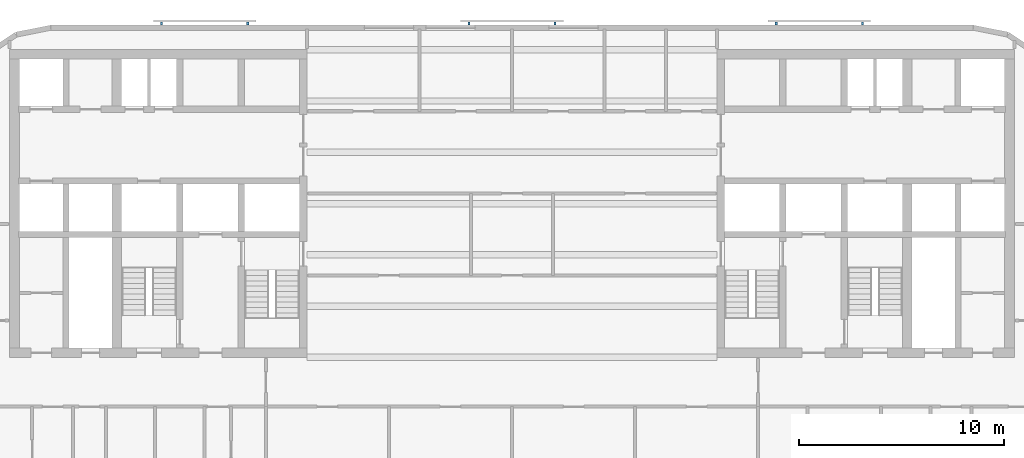
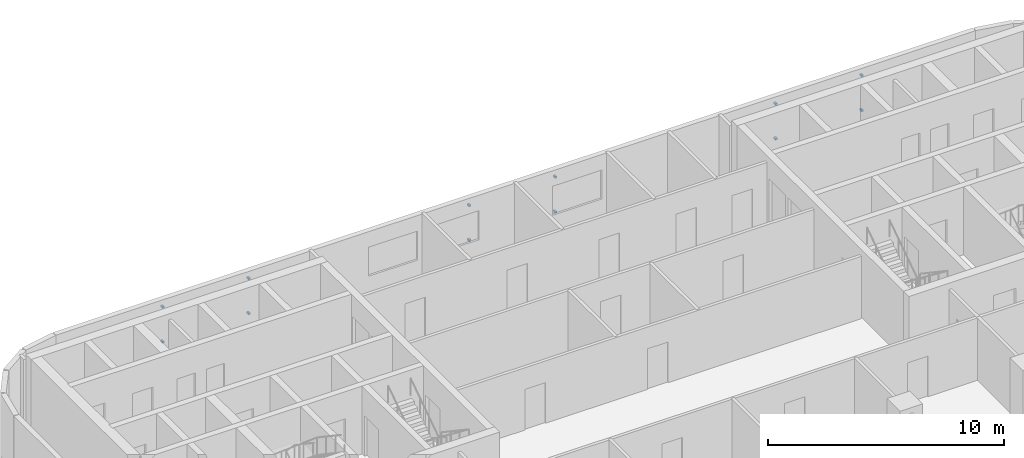
# One storey, part 8 of 11: 12 discrete accessories.
"""IFC4 building model written with IfcOpenShell, lengths in metres."""

from ifc_helpers import new_model, si_unit, direction, frame, origin, origin_2d, place, context, subcontext, project, spatial, rectangle, extrude, material, type_object, element, save


model = new_model("IFC4")

# Units and contexts
model_context = context("Model", 3, precision=1e-05, world=origin(), true_north=direction((0.0, 1.0)))
body_context = subcontext(model_context, "Body", "Model", "MODEL_VIEW")
ifc_project = project(units=[si_unit("LENGTHUNIT", "METRE"), si_unit("AREAUNIT", "SQUARE_METRE"), si_unit("VOLUMEUNIT", "CUBIC_METRE"), si_unit("PLANEANGLEUNIT", "RADIAN"), si_unit("MASSUNIT", "GRAM", prefix="KILO")], contexts=[model_context])

# Site, building, storey
site_placement = place(None, origin())
site = spatial("IfcSite", under=ifc_project, at=site_placement, CompositionType="ELEMENT")
building_placement = place(site_placement, origin())
building = spatial("IfcBuilding", under=site, at=building_placement, Name="Torana Hotel and Residences", CompositionType="ELEMENT")
storey_placement = place(building_placement, frame((0.0, 0.0, 243.10009765625)))
storey = spatial("IfcBuildingStorey", under=building, at=storey_placement, Name="L64", CompositionType="ELEMENT", Elevation=243.10009765625)

# Discrete accessories
ifc_material = material(Name="Steel S355", Category="steel")
discrete_accessory_type = type_object("IfcDiscreteAccessoryType", Name="SCREEN BRACKET 100", PredefinedType="BRACKET", material=ifc_material)
for number, where, z_axis, x_axis, name in (
    (1, (17.08349609375, 1.27490234375, 0.749755859375), (0.0, 0.0, 1.0), (-1.0, 0.0, 0.0), "Screen bracket L64"),
    (2, (17.08349609375, 1.27490234375, 2.5498046875), (0.0, 0.0, 1.0), (-1.0, 0.0, 0.0), "Screen bracket L64"),
    (3, (12.883544921875, 1.27490234375, 0.749755859375), (0.0, 0.0, 1.0), (-1.0, 0.0, 0.0), "Screen bracket L64"),
    (4, (12.883544921875, 1.27490234375, 2.5498046875), (0.0, 0.0, 1.0), (-1.0, 0.0, 0.0), "Screen bracket L64"),
    (5, (2.10009765625, 1.27490234375, 0.749755859375), (0.0, 0.0, 1.0), (-1.0, 0.0, 0.0), "Screen bracket L64"),
    (6, (2.10009765625, 1.27490234375, 2.5498046875), (0.0, 0.0, 1.0), (-1.0, 0.0, 0.0), "Screen bracket L64"),
    (7, (-2.10009765625, 1.27490234375, 0.749755859375), (0.0, 0.0, 1.0), (-1.0, 0.0, 0.0), "Screen bracket L64"),
    (8, (-2.10009765625, 1.27490234375, 2.5498046875), (0.0, 0.0, 1.0), (-1.0, 0.0, 0.0), "Screen bracket L64"),
    (9, (-12.883544921875, 1.27490234375, 0.749755859375), (0.0, 0.0, 1.0), (-1.0, 0.0, 0.0), "Screen bracket L64"),
    (10, (-12.883544921875, 1.27490234375, 2.5498046875), (0.0, 0.0, 1.0), (-1.0, 0.0, 0.0), "Screen bracket L64"),
    (11, (-17.08349609375, 1.27490234375, 0.749755859375), (0.0, 0.0, 1.0), (-1.0, 0.0, 0.0), "Screen bracket L64"),
    (12, (-17.08349609375, 1.27490234375, 2.5498046875), (0.0, 0.0, 1.0), (-1.0, 0.0, 0.0), "Screen bracket L64"),
):
    element("IfcDiscreteAccessory", number, at=place(storey_placement, frame(where, z_axis=z_axis, x_axis=x_axis)), inside=storey, type_object=discrete_accessory_type, Name=name, PredefinedType="BRACKET", context=body_context, shape_type="SweptSolid", body=[
        extrude(rectangle(XDim=0.10009765625, YDim=0.14990234375, at=origin_2d()), origin(), (0.0, 0.0, 1.0), 0.10009765625),
    ])

save(model, "model.ifc")
